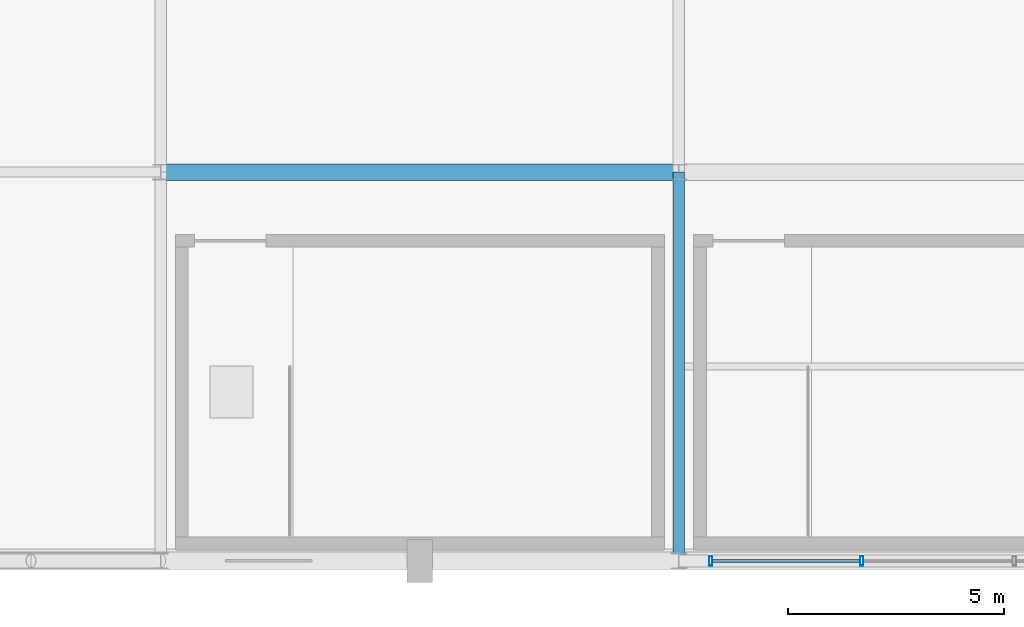
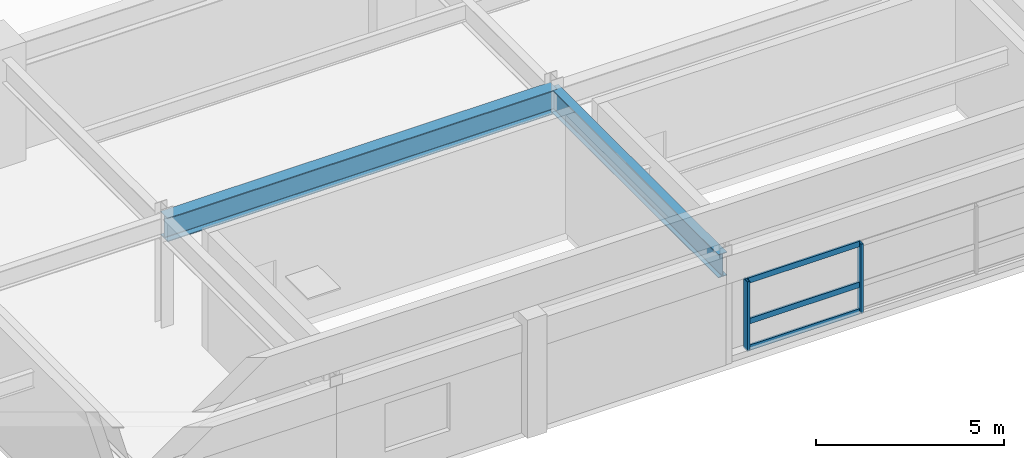
# One storey, part 23 of 108: 5 members, 2 beams, 1 element without a shape of its own.
"""IFC4 building model written with IfcOpenShell, lengths in metres."""

from ifc_helpers import new_model, si_unit, direction, frame, origin, origin_2d, place, context, subcontext, project, spatial, hollow_rectangle, i_section, extrude, material, material_profile, profile_set, type_object, element, aggregate, save


model = new_model("IFC4")

# Units and contexts
model_context = context("Model", 3, precision=1e-05, world=origin(), true_north=direction((0.0, 1.0)))
body_context = subcontext(model_context, "Body", "Model", "MODEL_VIEW")
ifc_project = project(units=[si_unit("LENGTHUNIT", "METRE"), si_unit("AREAUNIT", "SQUARE_METRE"), si_unit("VOLUMEUNIT", "CUBIC_METRE"), si_unit("PLANEANGLEUNIT", "RADIAN"), si_unit("MASSUNIT", "GRAM", prefix="KILO")], contexts=[model_context])

# Site, building, storey
site_placement = place(None, origin())
site = spatial("IfcSite", under=ifc_project, at=site_placement, CompositionType="ELEMENT")
building_placement = place(site_placement, origin())
building = spatial("IfcBuilding", under=site, at=building_placement, Name="Kaldorvane Square Convention Centre", CompositionType="ELEMENT")
storey_placement = place(building_placement, frame((0.0, 0.0, 23.399993896484375)))
storey = spatial("IfcBuildingStorey", under=building, at=storey_placement, Name="L04", CompositionType="ELEMENT", Elevation=23.399993896484375)

# Beams
ifc_material_1 = material(Name="Steel ASTM A992 Gr. 50", Category="steel")
ifc_material_profile_1 = material_profile(ifc_material_1, i_section(OverallWidth=0.2666015625, OverallDepth=0.762298583984375, WebThickness=0.014404296875, FlangeThickness=0.0216064453125, FilletRadius=0.0164947509765625, at=origin_2d()), Name="W30X116")
ifc_profile_set_1 = profile_set([ifc_material_profile_1], Name="Steel ASTM A992 Gr. 50")
beam_type_1 = type_object("IfcBeamType", Name="BM-GR-W30X116", PredefinedType="BEAM", material=ifc_profile_set_1)
beam_1_placement = place(storey_placement, frame((42.0, 0.0, 3.144805908203125), z_axis=(0.0, 1.0, 0.0), x_axis=(-1.0, 0.0, 0.0)))
element("IfcBeam", 1, at=beam_1_placement, inside=storey, type_object=beam_type_1, Name="Transverse Girder (L04)", PredefinedType="BEAM", context=body_context, shape_type="SweptSolid", body=[
    extrude(i_section(OverallWidth=0.2666015625, OverallDepth=0.762298583984375, WebThickness=0.014404296875, FlangeThickness=0.0216064453125, FilletRadius=0.0164947509765625, at=origin_2d()), origin(), (0.0, 0.0, 1.0), 9.0),
])
ifc_material_profile_2 = material_profile(ifc_material_1, i_section(OverallWidth=0.380706787109375, OverallDepth=0.773193359375, WebThickness=0.0166015625, FlangeThickness=0.027099609375, FilletRadius=0.0164947509765625, at=origin_2d()), Name="W30X173")
ifc_profile_set_2 = profile_set([ifc_material_profile_2], Name="Steel ASTM A992 Gr. 50")
beam_type_2 = type_object("IfcBeamType", Name="BM-GR-W30X173", PredefinedType="BEAM", material=ifc_profile_set_2)
beam_2_placement = place(storey_placement, frame((30.0, 9.0, 3.139404296875), z_axis=(1.0, 0.0, 0.0), x_axis=(0.0, 1.0, 0.0)))
element("IfcBeam", 2, at=beam_2_placement, inside=storey, type_object=beam_type_2, Name="Primary Girder (L04)", PredefinedType="BEAM", context=body_context, shape_type="SweptSolid", body=[
    extrude(i_section(OverallWidth=0.380706787109375, OverallDepth=0.773193359375, WebThickness=0.0166015625, FlangeThickness=0.027099609375, FilletRadius=0.0164947509765625, at=origin_2d()), origin(), (0.0, 0.0, 1.0), 12.0),
])

# Curtain wall, members
ifc_material_2 = material(Name="Anodized Aluminum and Low-E Insulated Glazing", Category="aluminium")
curtain_wall_type = type_object("IfcCurtainWallType", Name="CW-UNI-P42-12", PredefinedType="USERDEFINED", material=ifc_material_2)
curtain_wall_placement = place(storey_placement, origin())
curtain_wall = element("IfcCurtainWall", 3, at=curtain_wall_placement, inside=storey, type_object=curtain_wall_type, Name="Curtain Wall CW-05 (L04)", ObjectType="UNITISED GLAZING", PredefinedType="USERDEFINED")
ifc_material_profile_3 = material_profile(ifc_material_2, hollow_rectangle(XDim=0.0749969482421875, YDim=0.220001220703125, WallThickness=0.003997802734375, at=origin_2d()), Name="CWM-220X75")
ifc_profile_set_3 = profile_set([ifc_material_profile_3], Name="Anodized Aluminum and Low-E Insulated Glazing")
member_type_1 = type_object("IfcMemberType", Name="CW-MUL-220", PredefinedType="MULLION", material=ifc_profile_set_3)
member_1_placement = place(storey_placement, frame((42.73750305175781, 0.0, 0.1500091552734375), z_axis=(0.0, 0.0, 1.0), x_axis=(1.0, 0.0, 0.0)))
member_1 = element("IfcMember", 4, at=member_1_placement, type_object=member_type_1, Name="CW-05 mullion 1", PredefinedType="MULLION", context=body_context, shape_type="SweptSolid", body=[
    extrude(hollow_rectangle(XDim=0.0749969482421875, YDim=0.220001220703125, WallThickness=0.003997802734375, at=origin_2d()), origin(), (0.0, 0.0, 1.0), 2.2599945068359375),
])
member_2_placement = place(storey_placement, frame((46.23333740234375, 0.0, 0.1500091552734375), z_axis=(0.0, 0.0, 1.0), x_axis=(1.0, 0.0, 0.0)))
member_2 = element("IfcMember", 5, at=member_2_placement, type_object=member_type_1, Name="CW-05 mullion 2", PredefinedType="MULLION", context=body_context, shape_type="SweptSolid", body=[
    extrude(hollow_rectangle(XDim=0.0749969482421875, YDim=0.220001220703125, WallThickness=0.003997802734375, at=origin_2d()), origin(), (0.0, 0.0, 1.0), 2.2599945068359375),
])
ifc_material_profile_4 = material_profile(ifc_material_2, hollow_rectangle(XDim=0.06500244140625, YDim=0.17999267578125, WallThickness=0.0034942626953125, at=origin_2d()), Name="CWT-180X65")
ifc_profile_set_4 = profile_set([ifc_material_profile_4], Name="Anodized Aluminum and Low-E Insulated Glazing")
member_type_2 = type_object("IfcMemberType", Name="CW-TRN-180", PredefinedType="USERDEFINED", material=ifc_profile_set_4)
member_3_placement = place(storey_placement, frame((42.774993896484375, 0.0, 0.1825103759765625), z_axis=(1.0, 0.0, 0.0), x_axis=(0.0, 1.0, 0.0)))
member_3 = element("IfcMember", 6, at=member_3_placement, type_object=member_type_2, Name="CW-05 transom 1.1", ObjectType="TRANSOM", PredefinedType="USERDEFINED", context=body_context, shape_type="SweptSolid", body=[
    extrude(hollow_rectangle(XDim=0.06500244140625, YDim=0.17999267578125, WallThickness=0.0034942626953125, at=origin_2d()), origin(), (0.0, 0.0, 1.0), 3.42083740234375),
])
member_4_placement = place(storey_placement, frame((42.774993896484375, 0.0, 1.0500030517578125), z_axis=(1.0, 0.0, 0.0), x_axis=(0.0, 1.0, 0.0)))
member_4 = element("IfcMember", 7, at=member_4_placement, type_object=member_type_2, Name="CW-05 transom 1.2", ObjectType="TRANSOM", PredefinedType="USERDEFINED", context=body_context, shape_type="SweptSolid", body=[
    extrude(hollow_rectangle(XDim=0.06500244140625, YDim=0.17999267578125, WallThickness=0.0034942626953125, at=origin_2d()), origin(), (0.0, 0.0, 1.0), 3.42083740234375),
])
member_5_placement = place(storey_placement, frame((42.774993896484375, 0.0, 2.37750244140625), z_axis=(1.0, 0.0, 0.0), x_axis=(0.0, 1.0, 0.0)))
member_5 = element("IfcMember", 8, at=member_5_placement, type_object=member_type_2, Name="CW-05 transom 1.3", ObjectType="TRANSOM", PredefinedType="USERDEFINED", context=body_context, shape_type="SweptSolid", body=[
    extrude(hollow_rectangle(XDim=0.06500244140625, YDim=0.17999267578125, WallThickness=0.0034942626953125, at=origin_2d()), origin(), (0.0, 0.0, 1.0), 3.42083740234375),
])
aggregate(curtain_wall, [member_1, member_2, member_3, member_4, member_5])

save(model, "model.ifc")
